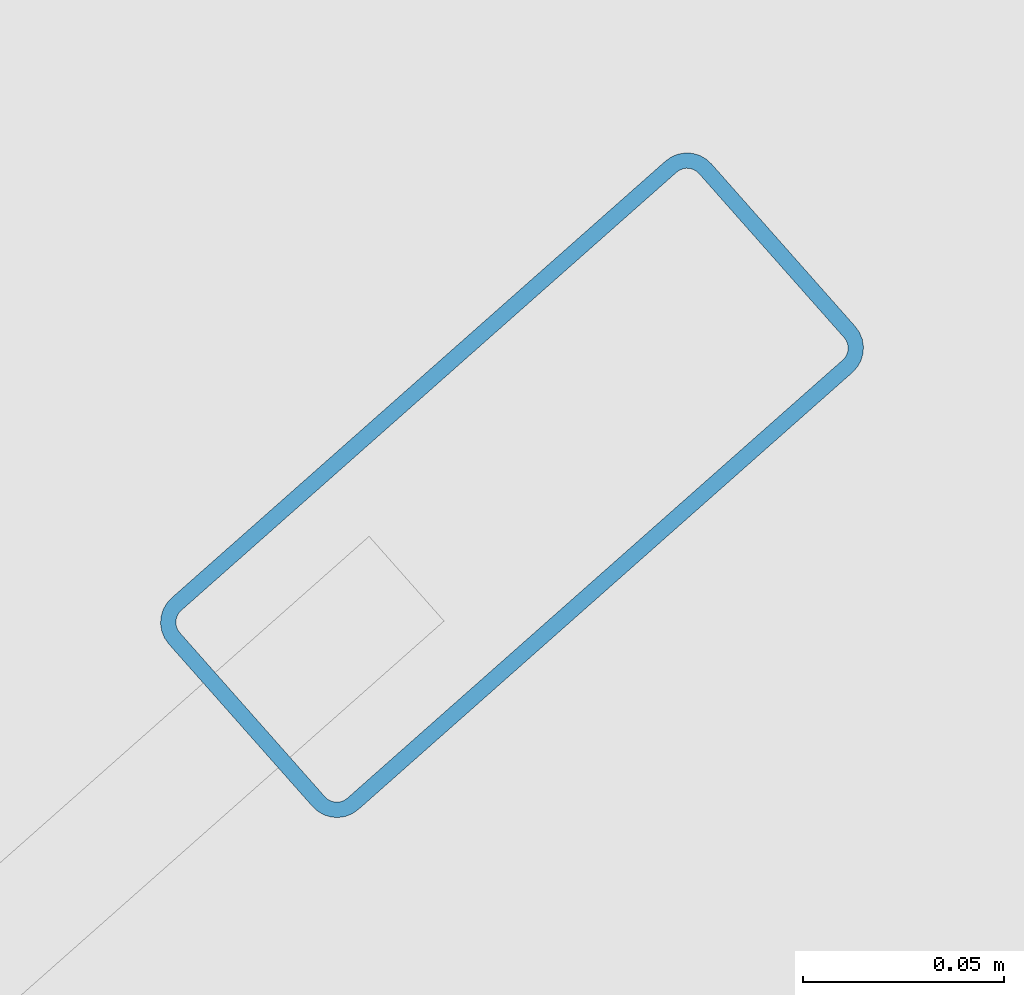
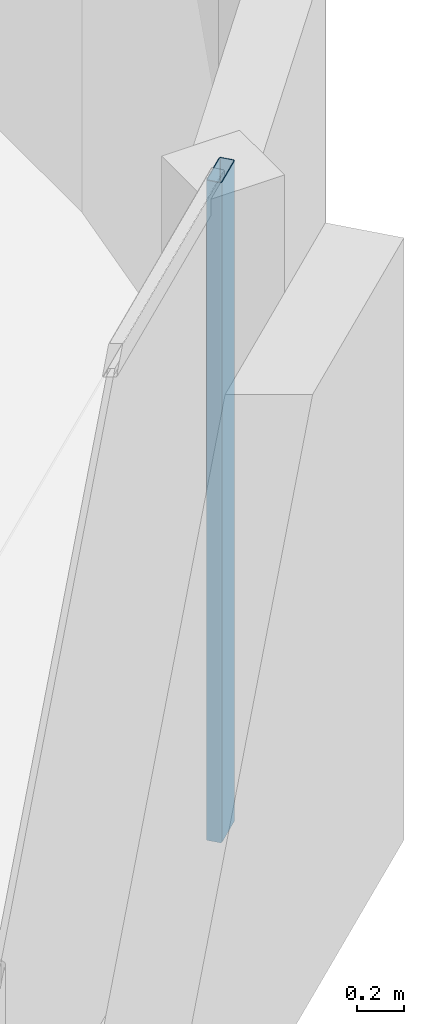
# One storey, part 4 of 16: 1 member, 1 element without a shape of its own.
"""IFC4 building model written with IfcOpenShell, lengths in metres."""

from ifc_helpers import new_model, si_unit, direction, frame, origin, origin_2d, place, context, subcontext, project, spatial, hollow_rectangle, extrude, material, layer, layer_set, material_profile, profile_set, type_object, element, aggregate, save


model = new_model("IFC4")

# Units and contexts
model_context = context("Model", 3, precision=1e-05, world=origin(), true_north=direction((0.0, 1.0)))
body_context = subcontext(model_context, "Body", "Model", "MODEL_VIEW")
ifc_project = project(units=[si_unit("LENGTHUNIT", "METRE"), si_unit("AREAUNIT", "SQUARE_METRE"), si_unit("VOLUMEUNIT", "CUBIC_METRE"), si_unit("PLANEANGLEUNIT", "RADIAN"), si_unit("MASSUNIT", "GRAM", prefix="KILO")], contexts=[model_context])

# Site, building, storey
site_placement = place(None, origin())
site = spatial("IfcSite", under=ifc_project, at=site_placement, CompositionType="ELEMENT")
building_placement = place(site_placement, origin())
building = spatial("IfcBuilding", under=site, at=building_placement, Name="An Khanh Terracotta Commons", CompositionType="ELEMENT")
storey_placement = place(building_placement, frame((0.0, 0.0, 57.60009765625)))
storey = spatial("IfcBuildingStorey", under=building, at=storey_placement, Name="L15", CompositionType="ELEMENT", Elevation=57.60009765625)

# Curtain wall, member
ifc_material = material(Name="Anodised Aluminium 6063-T6", Category="aluminium")
ifc_layer = layer(ifc_material, 0.199951171875, Name="Anodised Aluminium 6063-T6")
ifc_layer_set = layer_set([ifc_layer], Name="Anodised Aluminium 6063-T6")
curtain_wall_type = type_object("IfcCurtainWallType", Name="CW-SYS-02", PredefinedType="USERDEFINED", material=ifc_layer_set)
curtain_wall_placement = place(storey_placement, origin())
curtain_wall = element("IfcCurtainWall", 1, at=curtain_wall_placement, inside=storey, type_object=curtain_wall_type, Name="L15 CW-02 Unitised Curtain Wall CW-L15-08", ObjectType="UNITISED CURTAIN WALL", PredefinedType="USERDEFINED")
ifc_material_profile = material_profile(ifc_material, hollow_rectangle(XDim=0.070068359375, YDim=0.179931640625, WallThickness=0.00390625, InnerFilletRadius=0.00390625, OuterFilletRadius=0.008056640625, at=origin_2d()), Name="RHS180x70x4")
ifc_profile_set = profile_set([ifc_material_profile], Name="Anodised Aluminium 6063-T6")
member_type = type_object("IfcMemberType", Name="CWM-RHS180x70x4", PredefinedType="MULLION", material=ifc_profile_set)
member_placement = place(storey_placement, frame((49.683837890625, 9.704833984375, 0.0), z_axis=(0.0, 0.0, 1.0), x_axis=(-0.662548195415, 0.749019284633, 0.0)))
member = element("IfcMember", 2, at=member_placement, type_object=member_type, Name="CW-02 mullion 4", PredefinedType="MULLION", context=body_context, shape_type="SweptSolid", body=[
    extrude(hollow_rectangle(XDim=0.070068359375, YDim=0.179931640625, WallThickness=0.00390625, InnerFilletRadius=0.00390625, OuterFilletRadius=0.008056640625, at=origin_2d()), origin(), (0.0, 0.0, 1.0), 3.39990234375),
])
aggregate(curtain_wall, [member])

save(model, "model.ifc")
